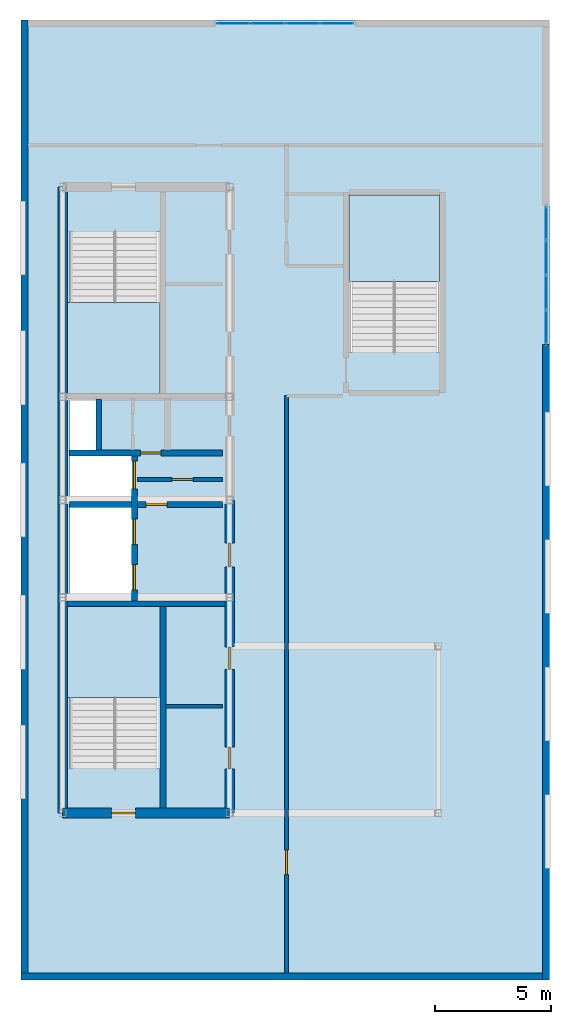
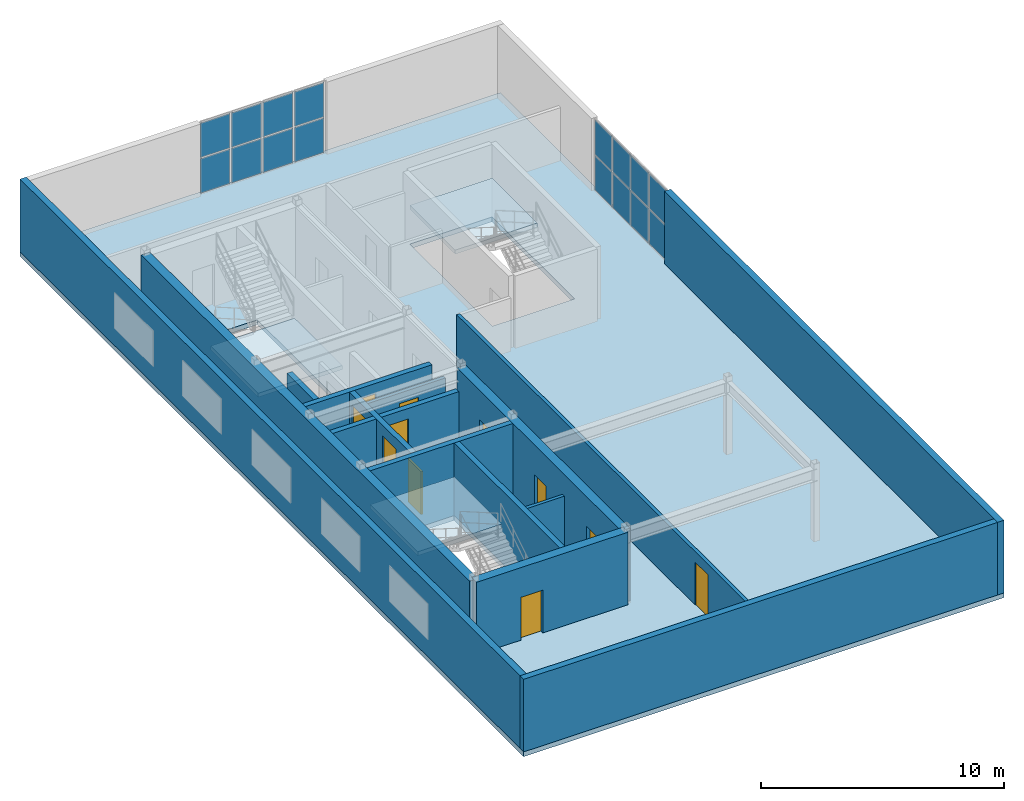
# One storey, part 5 of 7: 16 plates, 15 walls, 11 doors, 4 slabs, 11 openings, 5 elements without a shape of their own.
"""IFC4 building model written with IfcOpenShell, lengths in metres."""

from ifc_helpers import new_model, entity, si_unit, converted_unit, direction, frame, origin_with_axes, origin_2d_with_axis, place, context, subcontext, project, spatial, polyline, rectangle, outline, extrude, material, layer, layer_set, type_object, element, fill, aggregate, save


model = new_model("IFC4")

# Units and contexts
model_context = context("Model", 3, precision=1e-05, world=origin_with_axes(), true_north=direction((0.0, 1.0)))
body_context = subcontext(model_context, "Body", "Model", "MODEL_VIEW")
ifc_project = project(units=[si_unit("LENGTHUNIT", "METRE"), si_unit("AREAUNIT", "SQUARE_METRE"), si_unit("VOLUMEUNIT", "CUBIC_METRE"), converted_unit("PLANEANGLEUNIT", "DEGREE", entity("IfcPlaneAngleMeasure", 0.017453292519943295), si_unit("PLANEANGLEUNIT", "RADIAN"), dimensions=[0, 0, 0, 0, 0, 0, 0]), si_unit("MASSUNIT", "GRAM", prefix="KILO"), si_unit("THERMODYNAMICTEMPERATUREUNIT", "KELVIN")], contexts=[model_context])

# Site, building, storey
site_placement = place(None, origin_with_axes())
site = spatial("IfcSite", under=ifc_project, at=site_placement, CompositionType="ELEMENT")
building_placement = place(site_placement, origin_with_axes())
building = spatial("IfcBuilding", under=site, at=building_placement, Name="Varnlund Millrace Tower", CompositionType="ELEMENT")
storey_placement = place(building_placement, frame((0.0, 0.0, 312.6), z_axis=(0.0, 0.0, 1.0), x_axis=(1.0, 0.0, 0.0)))
storey = spatial("IfcBuildingStorey", under=building, at=storey_placement, Name="L77", CompositionType="ELEMENT", Elevation=312.6)

# Curtain wall, plates
ifc_material_1 = material(Name="Thermally broken architectural bronze curtain wall", Category="aluminium")
curtain_wall_type = type_object("IfcCurtainWallType", Name="Type-CW-Sys6-Observatory", PredefinedType="NOTDEFINED", material=ifc_material_1)
curtain_wall_1_placement = place(storey_placement, frame((32.25, 37.0, 0.0), z_axis=(0.0, 0.0, 1.0), x_axis=(1.0, 0.0, 0.0)))
curtain_wall_1 = element("IfcCurtainWall", 1, at=curtain_wall_1_placement, inside=storey, type_object=curtain_wall_type, Name="Type-CW-Sys6-Observatory", PredefinedType="NOTDEFINED")
ifc_material_2 = material(Name="Fritted low-e triple-glazed lantern curtain-wall unit", Category="glass")
ifc_layer_1 = layer(ifc_material_2, 0.032, Name="Fritted low-e triple-glazed lantern curtain-wall unit")
ifc_layer_set_1 = layer_set([ifc_layer_1], Name="Fritted low-e triple-glazed lantern curtain-wall unit")
plate_type = type_object("IfcPlateType", Name="Type-CW-Panel-Clerestory-32", PredefinedType="CURTAIN_PANEL", material=ifc_layer_set_1)
plate_1_placement = place(storey_placement, frame((32.25, 36.23375, 0.065), z_axis=(0.0, 0.0, 1.0), x_axis=(0.0, -1.0, 0.0)))
plate_1 = element("IfcPlate", 2, at=plate_1_placement, type_object=plate_type, Name="CW-06 panel 1.1", PredefinedType="CURTAIN_PANEL", context=body_context, shape_type="SweptSolid", body=[
    extrude(rectangle(XDim=1.4025, YDim=0.032, at=origin_2d_with_axis()), origin_with_axes(), (0.0, 0.0, 1.0), 1.7225),
])
plate_2_placement = place(storey_placement, frame((32.25, 36.23375, 1.8525), z_axis=(0.0, 0.0, 1.0), x_axis=(0.0, -1.0, 0.0)))
plate_2 = element("IfcPlate", 3, at=plate_2_placement, type_object=plate_type, Name="CW-06 panel 1.2", PredefinedType="CURTAIN_PANEL", context=body_context, shape_type="SweptSolid", body=[
    extrude(rectangle(XDim=1.4025, YDim=0.032, at=origin_2d_with_axis()), origin_with_axes(), (0.0, 0.0, 1.0), 1.7225),
])
plate_3_placement = place(storey_placement, frame((32.25, 34.75, 0.065), z_axis=(0.0, 0.0, 1.0), x_axis=(0.0, -1.0, 0.0)))
plate_3 = element("IfcPlate", 4, at=plate_3_placement, type_object=plate_type, Name="CW-06 panel 2.1", PredefinedType="CURTAIN_PANEL", context=body_context, shape_type="SweptSolid", body=[
    extrude(rectangle(XDim=1.435, YDim=0.032, at=origin_2d_with_axis()), origin_with_axes(), (0.0, 0.0, 1.0), 1.7225),
])
plate_4_placement = place(storey_placement, frame((32.25, 34.75, 1.8525), z_axis=(0.0, 0.0, 1.0), x_axis=(0.0, -1.0, 0.0)))
plate_4 = element("IfcPlate", 5, at=plate_4_placement, type_object=plate_type, Name="CW-06 panel 2.2", PredefinedType="CURTAIN_PANEL", context=body_context, shape_type="SweptSolid", body=[
    extrude(rectangle(XDim=1.435, YDim=0.032, at=origin_2d_with_axis()), origin_with_axes(), (0.0, 0.0, 1.0), 1.7225),
])
plate_5_placement = place(storey_placement, frame((32.25, 33.25, 0.065), z_axis=(0.0, 0.0, 1.0), x_axis=(0.0, -1.0, 0.0)))
plate_5 = element("IfcPlate", 6, at=plate_5_placement, type_object=plate_type, Name="CW-06 panel 3.1", PredefinedType="CURTAIN_PANEL", context=body_context, shape_type="SweptSolid", body=[
    extrude(rectangle(XDim=1.435, YDim=0.032, at=origin_2d_with_axis()), origin_with_axes(), (0.0, 0.0, 1.0), 1.7225),
])
plate_6_placement = place(storey_placement, frame((32.25, 33.25, 1.8525), z_axis=(0.0, 0.0, 1.0), x_axis=(0.0, -1.0, 0.0)))
plate_6 = element("IfcPlate", 7, at=plate_6_placement, type_object=plate_type, Name="CW-06 panel 3.2", PredefinedType="CURTAIN_PANEL", context=body_context, shape_type="SweptSolid", body=[
    extrude(rectangle(XDim=1.435, YDim=0.032, at=origin_2d_with_axis()), origin_with_axes(), (0.0, 0.0, 1.0), 1.7225),
])
plate_7_placement = place(storey_placement, frame((32.25, 31.76625, 0.065), z_axis=(0.0, 0.0, 1.0), x_axis=(0.0, -1.0, 0.0)))
plate_7 = element("IfcPlate", 8, at=plate_7_placement, type_object=plate_type, Name="CW-06 panel 4.1", PredefinedType="CURTAIN_PANEL", context=body_context, shape_type="SweptSolid", body=[
    extrude(rectangle(XDim=1.4025, YDim=0.032, at=origin_2d_with_axis()), origin_with_axes(), (0.0, 0.0, 1.0), 1.7225),
])
plate_8_placement = place(storey_placement, frame((32.25, 31.76625, 1.8525), z_axis=(0.0, 0.0, 1.0), x_axis=(0.0, -1.0, 0.0)))
plate_8 = element("IfcPlate", 9, at=plate_8_placement, type_object=plate_type, Name="CW-06 panel 4.2", PredefinedType="CURTAIN_PANEL", context=body_context, shape_type="SweptSolid", body=[
    extrude(rectangle(XDim=1.4025, YDim=0.032, at=origin_2d_with_axis()), origin_with_axes(), (0.0, 0.0, 1.0), 1.7225),
])
aggregate(curtain_wall_1, [plate_1, plate_2, plate_3, plate_4, plate_5, plate_6, plate_7, plate_8])

curtain_wall_2_placement = place(storey_placement, frame((18.0, 44.85, 0.0), z_axis=(0.0, 0.0, 1.0), x_axis=(1.0, 0.0, 0.0)))
curtain_wall_2 = element("IfcCurtainWall", 10, at=curtain_wall_2_placement, inside=storey, type_object=curtain_wall_type, Name="Type-CW-Sys6-Observatory", PredefinedType="NOTDEFINED")
plate_9_placement = place(storey_placement, frame((18.76625, 44.85, 0.065), z_axis=(0.0, 0.0, 1.0), x_axis=(1.0, 0.0, 0.0)))
plate_9 = element("IfcPlate", 11, at=plate_9_placement, type_object=plate_type, Name="CW-06 panel 1.1", PredefinedType="CURTAIN_PANEL", context=body_context, shape_type="SweptSolid", body=[
    extrude(rectangle(XDim=1.4025, YDim=0.032, at=origin_2d_with_axis()), origin_with_axes(), (0.0, 0.0, 1.0), 1.7225),
])
plate_10_placement = place(storey_placement, frame((18.76625, 44.85, 1.8525), z_axis=(0.0, 0.0, 1.0), x_axis=(1.0, 0.0, 0.0)))
plate_10 = element("IfcPlate", 12, at=plate_10_placement, type_object=plate_type, Name="CW-06 panel 1.2", PredefinedType="CURTAIN_PANEL", context=body_context, shape_type="SweptSolid", body=[
    extrude(rectangle(XDim=1.4025, YDim=0.032, at=origin_2d_with_axis()), origin_with_axes(), (0.0, 0.0, 1.0), 1.7225),
])
plate_11_placement = place(storey_placement, frame((20.25, 44.85, 0.065), z_axis=(0.0, 0.0, 1.0), x_axis=(1.0, 0.0, 0.0)))
plate_11 = element("IfcPlate", 13, at=plate_11_placement, type_object=plate_type, Name="CW-06 panel 2.1", PredefinedType="CURTAIN_PANEL", context=body_context, shape_type="SweptSolid", body=[
    extrude(rectangle(XDim=1.435, YDim=0.032, at=origin_2d_with_axis()), origin_with_axes(), (0.0, 0.0, 1.0), 1.7225),
])
plate_12_placement = place(storey_placement, frame((20.25, 44.85, 1.8525), z_axis=(0.0, 0.0, 1.0), x_axis=(1.0, 0.0, 0.0)))
plate_12 = element("IfcPlate", 14, at=plate_12_placement, type_object=plate_type, Name="CW-06 panel 2.2", PredefinedType="CURTAIN_PANEL", context=body_context, shape_type="SweptSolid", body=[
    extrude(rectangle(XDim=1.435, YDim=0.032, at=origin_2d_with_axis()), origin_with_axes(), (0.0, 0.0, 1.0), 1.7225),
])
plate_13_placement = place(storey_placement, frame((21.75, 44.85, 0.065), z_axis=(0.0, 0.0, 1.0), x_axis=(1.0, 0.0, 0.0)))
plate_13 = element("IfcPlate", 15, at=plate_13_placement, type_object=plate_type, Name="CW-06 panel 3.1", PredefinedType="CURTAIN_PANEL", context=body_context, shape_type="SweptSolid", body=[
    extrude(rectangle(XDim=1.435, YDim=0.032, at=origin_2d_with_axis()), origin_with_axes(), (0.0, 0.0, 1.0), 1.7225),
])
plate_14_placement = place(storey_placement, frame((21.75, 44.85, 1.8525), z_axis=(0.0, 0.0, 1.0), x_axis=(1.0, 0.0, 0.0)))
plate_14 = element("IfcPlate", 16, at=plate_14_placement, type_object=plate_type, Name="CW-06 panel 3.2", PredefinedType="CURTAIN_PANEL", context=body_context, shape_type="SweptSolid", body=[
    extrude(rectangle(XDim=1.435, YDim=0.032, at=origin_2d_with_axis()), origin_with_axes(), (0.0, 0.0, 1.0), 1.7225),
])
plate_15_placement = place(storey_placement, frame((23.23375, 44.85, 0.065), z_axis=(0.0, 0.0, 1.0), x_axis=(1.0, 0.0, 0.0)))
plate_15 = element("IfcPlate", 17, at=plate_15_placement, type_object=plate_type, Name="CW-06 panel 4.1", PredefinedType="CURTAIN_PANEL", context=body_context, shape_type="SweptSolid", body=[
    extrude(rectangle(XDim=1.4025, YDim=0.032, at=origin_2d_with_axis()), origin_with_axes(), (0.0, 0.0, 1.0), 1.7225),
])
plate_16_placement = place(storey_placement, frame((23.23375, 44.85, 1.8525), z_axis=(0.0, 0.0, 1.0), x_axis=(1.0, 0.0, 0.0)))
plate_16 = element("IfcPlate", 18, at=plate_16_placement, type_object=plate_type, Name="CW-06 panel 4.2", PredefinedType="CURTAIN_PANEL", context=body_context, shape_type="SweptSolid", body=[
    extrude(rectangle(XDim=1.4025, YDim=0.032, at=origin_2d_with_axis()), origin_with_axes(), (0.0, 0.0, 1.0), 1.7225),
])
aggregate(curtain_wall_2, [plate_9, plate_10, plate_11, plate_12, plate_13, plate_14, plate_15, plate_16])

# Slab
ifc_material_3 = material(Name="Concrete C60/75", Category="concrete")
ifc_layer_2 = layer(ifc_material_3, 0.24, Name="Concrete C60/75")
ifc_layer_set_2 = layer_set([ifc_layer_2], Name="Concrete C60/75")
slab_type_1 = type_object("IfcSlabType", Name="Type-Deck-Plate-Typical-240", PredefinedType="FLOOR", material=ifc_layer_set_2)
slab_1_placement = place(storey_placement, frame((0.0, 0.0, -0.24), z_axis=(0.0, 0.0, 1.0), x_axis=(1.0, 0.0, 0.0)))
element("IfcSlab", 19, at=slab_1_placement, inside=storey, type_object=slab_type_1, Name="Type-Deck-Plate-Typical-240", PredefinedType="FLOOR", context=body_context, shape_type="SweptSolid", body=[
    extrude(outline(polyline([(32.4, 3.6), (32.4, 45.0), (9.6, 45.0), (9.6, 3.6), (32.4, 3.6)]), holes=[polyline([(11.7, 19.7), (15.6, 19.7), (15.6, 12.715), (11.7, 12.715), (11.7, 19.7)]), polyline([(11.7, 19.94), (11.7, 23.98), (14.38, 23.98), (14.38, 19.94), (11.7, 19.94)]), polyline([(14.38, 26.2), (14.38, 24.24), (11.7, 24.24), (11.7, 26.2), (14.38, 26.2)]), polyline([(12.84, 28.65), (12.84, 26.46), (11.7, 26.46), (11.7, 28.65), (12.84, 28.65)]), polyline([(15.6, 35.885), (15.6, 28.9), (11.7, 28.9), (11.7, 35.885), (15.6, 35.885)]), polyline([(27.65, 37.45), (27.65, 30.665), (23.75, 30.665), (23.75, 37.45), (27.65, 37.45)])]), origin_with_axes(), (0.0, 0.0, 1.0), 0.24),
])

# Stair, slab
ifc_material_4 = material(Name="Concrete C50/60", Category="concrete")
stair_type = type_object("IfcStairType", Name="Type-Stair-Dogleg-185-390", PredefinedType="HALF_TURN_STAIR", material=ifc_material_4)
stair_1_placement = place(storey_placement, origin_with_axes())
stair_1 = element("IfcStair", 20, at=stair_1_placement, inside=storey, type_object=stair_type, Name="Type-Stair-Dogleg-185-390", PredefinedType="HALF_TURN_STAIR")
ifc_layer_3 = layer(ifc_material_4, 0.2, Name="Concrete C50/60")
ifc_layer_set_3 = layer_set([ifc_layer_3], Name="Concrete C50/60")
slab_type_2 = type_object("IfcSlabType", Name="Type-StairLanding-200", PredefinedType="LANDING", material=ifc_layer_set_3)
slab_2_placement = place(storey_placement, frame((0.0, 0.0, 1.75), z_axis=(0.0, 0.0, 1.0), x_axis=(1.0, 0.0, 0.0)))
slab_2 = element("IfcSlab", 21, at=slab_2_placement, type_object=slab_type_2, Name="ST-A1 landing 1", PredefinedType="LANDING", context=body_context, shape_type="SweptSolid", body=[
    extrude(outline(polyline([(15.6, 15.78), (15.6, 19.7), (11.61, 19.7), (11.61, 15.78), (15.6, 15.78)])), origin_with_axes(), (0.0, 0.0, 1.0), 0.2),
])
aggregate(stair_1, [slab_2])

stair_2_placement = place(storey_placement, origin_with_axes())
stair_2 = element("IfcStair", 22, at=stair_2_placement, inside=storey, type_object=stair_type, Name="Type-Stair-Dogleg-185-390", PredefinedType="HALF_TURN_STAIR")
slab_3_placement = place(storey_placement, frame((0.0, 0.0, 1.75), z_axis=(0.0, 0.0, 1.0), x_axis=(1.0, 0.0, 0.0)))
slab_3 = element("IfcSlab", 23, at=slab_3_placement, type_object=slab_type_2, Name="ST-A2 landing 1", PredefinedType="LANDING", context=body_context, shape_type="SweptSolid", body=[
    extrude(outline(polyline([(11.61, 32.82), (11.61, 28.9), (15.6, 28.9), (15.6, 32.82), (11.61, 32.82)])), origin_with_axes(), (0.0, 0.0, 1.0), 0.2),
])
aggregate(stair_2, [slab_3])

stair_3_placement = place(storey_placement, origin_with_axes())
stair_3 = element("IfcStair", 24, at=stair_3_placement, inside=storey, type_object=stair_type, Name="Type-Stair-Dogleg-185-390", PredefinedType="HALF_TURN_STAIR")
slab_4_placement = place(storey_placement, frame((0.0, 0.0, 1.75), z_axis=(0.0, 0.0, 1.0), x_axis=(1.0, 0.0, 0.0)))
slab_4 = element("IfcSlab", 25, at=slab_4_placement, type_object=slab_type_2, Name="ST-A3 landing 1", PredefinedType="LANDING", context=body_context, shape_type="SweptSolid", body=[
    extrude(outline(polyline([(27.65, 33.73), (27.65, 37.45), (23.75, 37.45), (23.75, 33.73), (27.65, 33.73)])), origin_with_axes(), (0.0, 0.0, 1.0), 0.2),
])
aggregate(stair_3, [slab_4])

# Wall
ifc_layer_4 = layer(ifc_material_3, 0.42, Name="Concrete C60/75")
ifc_layer_set_4 = layer_set([ifc_layer_4], Name="Concrete C60/75")
wall_type_1 = type_object("IfcWallType", Name="Type-CoreWall-Shear-420-C60", PredefinedType="SHEAR", material=ifc_layer_set_4)
wall_1_placement = place(storey_placement, frame((11.4, 10.8, 0.0), z_axis=(0.0, 0.0, 1.0), x_axis=(0.0, 1.0, 0.0)))
element("IfcWall", 26, at=wall_1_placement, inside=storey, type_object=wall_type_1, Name="Type-CoreWall-Shear-420-C60", PredefinedType="SHEAR", context=body_context, shape_type="SweptSolid", body=[
    extrude(outline(polyline([(0.0, -0.21), (27.0, -0.21), (27.0, 0.21), (0.0, 0.21), (0.0, -0.21)])), origin_with_axes(), (0.0, 0.0, 1.0), 3.64),
])

# Wall, opening, door
wall_2_placement = place(storey_placement, frame((11.4, 10.8, 0.0), z_axis=(0.0, 0.0, 1.0), x_axis=(1.0, 0.0, 0.0)))
wall_2 = element("IfcWall", 27, at=wall_2_placement, inside=storey, type_object=wall_type_1, Name="Type-CoreWall-Shear-420-C60", PredefinedType="SHEAR", context=body_context, shape_type="SweptSolid", body=[
    extrude(outline(polyline([(0.0, -0.21), (7.2, -0.21), (7.2, 0.21), (0.0, 0.21), (0.0, -0.21)])), origin_with_axes(), (0.0, 0.0, 1.0), 3.64),
])
opening_1_placement = place(wall_2_placement, frame((2.625, 0.0, 0.0), z_axis=(0.0, 0.0, 1.0), x_axis=(1.0, 0.0, 0.0)))
opening_1 = element("IfcOpeningElement", 28, at=opening_1_placement, cuts=wall_2, Name="Opening L77:DR-STA1", PredefinedType="OPENING", context=body_context, shape_type="SweptSolid", body=[
    extrude(rectangle(XDim=1.05, YDim=0.44, at=origin_2d_with_axis()), origin_with_axes(), (0.0, 0.0, 1.0), 2.15),
])
ifc_material_5 = material(Name="Fire-rated hollow steel door", Category="steel")
door_type_1 = type_object("IfcDoorType", Name="Type-FireDoor-Stair-1050X2150", OperationType="NOTDEFINED", PredefinedType="DOOR", material=ifc_material_5)
door_1_placement = place(wall_2_placement, frame((2.625, 0.0, 0.0), z_axis=(0.0, 0.0, 1.0), x_axis=(1.0, 0.0, 0.0)))
door_1 = element("IfcDoor", 29, at=door_1_placement, inside=storey, type_object=door_type_1, Name="Type-FireDoor-Stair-1050X2150", OperationType="SINGLE_SWING_LEFT", OverallHeight=2.15, OverallWidth=1.05, PredefinedType="DOOR", context=body_context, shape_type="SweptSolid", body=[
    extrude(rectangle(XDim=1.05, YDim=0.09, at=origin_2d_with_axis()), origin_with_axes(), (0.0, 0.0, 1.0), 2.15),
])
fill(opening_1, door_1)

# Wall, openings, doors
wall_3_placement = place(storey_placement, frame((18.6, 10.8, 0.0), z_axis=(0.0, 0.0, 1.0), x_axis=(0.0, 1.0, 0.0)))
wall_3 = element("IfcWall", 30, at=wall_3_placement, inside=storey, type_object=wall_type_1, Name="Type-CoreWall-Shear-420-C60", PredefinedType="SHEAR", context=body_context, shape_type="SweptSolid", body=[
    extrude(outline(polyline([(0.0, -0.21), (13.5, -0.21), (13.5, 0.21), (0.0, 0.21), (0.0, -0.21)])), origin_with_axes(), (0.0, 0.0, 1.0), 3.64),
])
opening_2_placement = place(wall_3_placement, frame((11.125, 0.0, 0.0), z_axis=(0.0, 0.0, 1.0), x_axis=(1.0, 0.0, 0.0)))
opening_2 = element("IfcOpeningElement", 31, at=opening_2_placement, cuts=wall_3, Name="Opening L77:DR-FFLOB-A", PredefinedType="OPENING", context=body_context, shape_type="SweptSolid", body=[
    extrude(rectangle(XDim=1.05, YDim=0.44, at=origin_2d_with_axis()), origin_with_axes(), (0.0, 0.0, 1.0), 2.15),
])
opening_3_placement = place(wall_3_placement, frame((2.375, 0.0, 0.0), z_axis=(0.0, 0.0, 1.0), x_axis=(1.0, 0.0, 0.0)))
opening_3 = element("IfcOpeningElement", 32, at=opening_3_placement, cuts=wall_3, Name="Opening L77:DR-CRN-C1", PredefinedType="OPENING", context=body_context, shape_type="SweptSolid", body=[
    extrude(rectangle(XDim=0.95, YDim=0.44, at=origin_2d_with_axis()), origin_with_axes(), (0.0, 0.0, 1.0), 2.15),
])
opening_4_placement = place(wall_3_placement, frame((6.675, 0.0, 0.0), z_axis=(0.0, 0.0, 1.0), x_axis=(1.0, 0.0, 0.0)))
opening_4 = element("IfcOpeningElement", 33, at=opening_4_placement, cuts=wall_3, Name="Opening L77:DR-CRN-C2", PredefinedType="OPENING", context=body_context, shape_type="SweptSolid", body=[
    extrude(rectangle(XDim=0.95, YDim=0.44, at=origin_2d_with_axis()), origin_with_axes(), (0.0, 0.0, 1.0), 2.15),
])
ifc_material_6 = material(Name="Smoke-barrier hollow steel fire door", Category="steel")
door_type_2 = type_object("IfcDoorType", Name="Type-FireDoor-Lobby-1050X2150", OperationType="NOTDEFINED", PredefinedType="DOOR", material=ifc_material_6)
door_2_placement = place(wall_3_placement, frame((11.125, 0.0, 0.0), z_axis=(0.0, 0.0, 1.0), x_axis=(1.0, 0.0, 0.0)))
door_2 = element("IfcDoor", 34, at=door_2_placement, inside=storey, type_object=door_type_2, Name="Type-FireDoor-Lobby-1050X2150", OperationType="SINGLE_SWING_LEFT", OverallHeight=2.15, OverallWidth=1.05, PredefinedType="DOOR", context=body_context, shape_type="SweptSolid", body=[
    extrude(rectangle(XDim=1.05, YDim=0.09, at=origin_2d_with_axis()), origin_with_axes(), (0.0, 0.0, 1.0), 2.15),
])
fill(opening_2, door_2)
ifc_material_7 = material(Name="Fire-rated hollow steel core service door", Category="steel")
door_type_3 = type_object("IfcDoorType", Name="Type-FireDoor-Service-950X2150", OperationType="NOTDEFINED", PredefinedType="DOOR", material=ifc_material_7)
door_3_placement = place(wall_3_placement, frame((2.375, 0.0, 0.0), z_axis=(0.0, 0.0, 1.0), x_axis=(1.0, 0.0, 0.0)))
door_3 = element("IfcDoor", 35, at=door_3_placement, inside=storey, type_object=door_type_3, Name="Type-FireDoor-Service-950X2150", OperationType="SINGLE_SWING_LEFT", OverallHeight=2.15, OverallWidth=0.95, PredefinedType="DOOR", context=body_context, shape_type="SweptSolid", body=[
    extrude(rectangle(XDim=0.95, YDim=0.09, at=origin_2d_with_axis()), origin_with_axes(), (0.0, 0.0, 1.0), 2.15),
])
fill(opening_3, door_3)
door_4_placement = place(wall_3_placement, frame((6.675, 0.0, 0.0), z_axis=(0.0, 0.0, 1.0), x_axis=(1.0, 0.0, 0.0)))
door_4 = element("IfcDoor", 36, at=door_4_placement, inside=storey, type_object=door_type_3, Name="Type-FireDoor-Service-950X2150", OperationType="SINGLE_SWING_RIGHT", OverallHeight=2.15, OverallWidth=0.95, PredefinedType="DOOR", context=body_context, shape_type="SweptSolid", body=[
    extrude(rectangle(XDim=0.95, YDim=0.09, at=origin_2d_with_axis()), origin_with_axes(), (0.0, 0.0, 1.0), 2.15),
])
fill(opening_4, door_4)

# Walls
ifc_material_8 = material(Name="Precast concrete C50/60", Category="concrete")
ifc_layer_5 = layer(ifc_material_8, 0.3, Name="Precast concrete C50/60")
ifc_layer_set_5 = layer_set([ifc_layer_5], Name="Precast concrete C50/60")
wall_type_2 = type_object("IfcWallType", Name="Type-ExtWall-Precast-Crown-300", PredefinedType="SOLIDWALL", material=ifc_layer_set_5)
wall_4_placement = place(storey_placement, frame((9.75, 3.9, 0.0), z_axis=(0.0, 0.0, 1.0), x_axis=(0.0, 1.0, 0.0)))
element("IfcWall", 37, at=wall_4_placement, inside=storey, type_object=wall_type_2, Name="Type-ExtWall-Precast-Crown-300", PredefinedType="SOLIDWALL", context=body_context, shape_type="SweptSolid", body=[
    extrude(outline(polyline([(0.0, -0.15), (41.1, -0.15), (41.1, 0.15), (0.0, 0.15), (0.0, -0.15)])), origin_with_axes(), (0.0, 0.0, 1.0), 3.64),
])
wall_5_placement = place(storey_placement, frame((32.25, 31.0, 0.0), z_axis=(0.0, 0.0, 1.0), x_axis=(0.0, -1.0, 0.0)))
element("IfcWall", 38, at=wall_5_placement, inside=storey, type_object=wall_type_2, Name="Type-ExtWall-Precast-Crown-300", PredefinedType="SOLIDWALL", context=body_context, shape_type="SweptSolid", body=[
    extrude(outline(polyline([(0.0, -0.15), (27.4, -0.15), (27.4, 0.15), (0.0, 0.15), (0.0, -0.15)])), origin_with_axes(), (0.0, 0.0, 1.0), 3.64),
])
wall_6_placement = place(storey_placement, frame((32.1, 3.75, 0.0), z_axis=(0.0, 0.0, 1.0), x_axis=(-1.0, 0.0, 0.0)))
element("IfcWall", 39, at=wall_6_placement, inside=storey, type_object=wall_type_2, Name="Type-ExtWall-Precast-Crown-300", PredefinedType="SOLIDWALL", context=body_context, shape_type="SweptSolid", body=[
    extrude(outline(polyline([(0.0, -0.15), (22.5, -0.15), (22.5, 0.15), (0.0, 0.15), (0.0, -0.15)])), origin_with_axes(), (0.0, 0.0, 1.0), 3.64),
])

# Wall, opening, door
ifc_material_9 = material(Name="Fire-rated gypsum board on cold-formed steel framing", Category="steel")
ifc_layer_6 = layer(ifc_material_9, 0.16, Name="Fire-rated gypsum board on cold-formed steel framing")
ifc_layer_set_6 = layer_set([ifc_layer_6], Name="Fire-rated gypsum board on cold-formed steel framing")
wall_type_3 = type_object("IfcWallType", Name="Type-Partition-Corridor-160", PredefinedType="PARTITIONING", material=ifc_layer_set_6)
wall_7_placement = place(storey_placement, frame((14.62, 25.18, 0.0), z_axis=(0.0, 0.0, 1.0), x_axis=(1.0, 0.0, 0.0)))
wall_7 = element("IfcWall", 40, at=wall_7_placement, inside=storey, type_object=wall_type_3, Name="Type-Partition-Corridor-160", PredefinedType="PARTITIONING", context=body_context, shape_type="SweptSolid", body=[
    extrude(outline(polyline([(0.0, -0.08), (3.68, -0.08), (3.68, 0.08), (0.0, 0.08), (0.0, -0.08)])), origin_with_axes(), (0.0, 0.0, 1.0), 2.68),
])
opening_5_placement = place(wall_7_placement, frame((1.95, 0.0, 0.0), z_axis=(0.0, 0.0, 1.0), x_axis=(1.0, 0.0, 0.0)))
opening_5 = element("IfcOpeningElement", 41, at=opening_5_placement, cuts=wall_7, Name="Opening L77:DR-CA-SUB2", PredefinedType="OPENING", context=body_context, shape_type="SweptSolid", body=[
    extrude(rectangle(XDim=0.9, YDim=0.18, at=origin_2d_with_axis()), origin_with_axes(), (0.0, 0.0, 1.0), 2.15),
])
ifc_material_10 = material(Name="Painted steel riser and closet door", Category="steel")
door_type_4 = type_object("IfcDoorType", Name="Type-IntDoor-Closet-900X2150", OperationType="NOTDEFINED", PredefinedType="DOOR", material=ifc_material_10)
door_5_placement = place(wall_7_placement, frame((1.95, 0.0, 0.0), z_axis=(0.0, 0.0, 1.0), x_axis=(1.0, 0.0, 0.0)))
door_5 = element("IfcDoor", 42, at=door_5_placement, inside=storey, type_object=door_type_4, Name="Type-IntDoor-Closet-900X2150", OperationType="SINGLE_SWING_LEFT", OverallHeight=2.15, OverallWidth=0.9, PredefinedType="DOOR", context=body_context, shape_type="SweptSolid", body=[
    extrude(rectangle(XDim=0.9, YDim=0.09, at=origin_2d_with_axis()), origin_with_axes(), (0.0, 0.0, 1.0), 2.15),
])
fill(opening_5, door_5)

# Wall
wall_8_placement = place(storey_placement, frame((15.84, 15.4, 0.0), z_axis=(0.0, 0.0, 1.0), x_axis=(1.0, 0.0, 0.0)))
element("IfcWall", 43, at=wall_8_placement, inside=storey, type_object=wall_type_3, Name="Type-Partition-Corridor-160", PredefinedType="PARTITIONING", context=body_context, shape_type="SweptSolid", body=[
    extrude(outline(polyline([(0.0, -0.08), (2.46, -0.08), (2.46, 0.08), (0.0, 0.08), (0.0, -0.08)])), origin_with_axes(), (0.0, 0.0, 1.0), 2.68),
])

# Wall, opening, door
wall_9_placement = place(storey_placement, frame((21.05, 3.895, 0.0), z_axis=(0.0, 0.0, 1.0), x_axis=(0.0, 1.0, 0.0)))
wall_9 = element("IfcWall", 44, at=wall_9_placement, inside=storey, type_object=wall_type_3, Name="Type-Partition-Corridor-160", PredefinedType="PARTITIONING", context=body_context, shape_type="SweptSolid", body=[
    extrude(outline(polyline([(0.0, -0.08), (24.905, -0.08), (24.905, 0.08), (0.0, 0.08), (0.0, -0.08)])), origin_with_axes(), (0.0, 0.0, 1.0), 2.68),
])
opening_6_placement = place(wall_9_placement, frame((4.78, 0.0, 0.0), z_axis=(0.0, 0.0, 1.0), x_axis=(1.0, 0.0, 0.0)))
opening_6 = element("IfcOpeningElement", 45, at=opening_6_placement, cuts=wall_9, Name="Opening L77:DR-CRN-PLT", PredefinedType="OPENING", context=body_context, shape_type="SweptSolid", body=[
    extrude(rectangle(XDim=1.05, YDim=0.18, at=origin_2d_with_axis()), origin_with_axes(), (0.0, 0.0, 1.0), 2.15),
])
door_6_placement = place(wall_9_placement, frame((4.78, 0.0, 0.0), z_axis=(0.0, 0.0, 1.0), x_axis=(1.0, 0.0, 0.0)))
door_6 = element("IfcDoor", 46, at=door_6_placement, inside=storey, type_object=door_type_2, Name="Type-FireDoor-Lobby-1050X2150", OperationType="SINGLE_SWING_LEFT", OverallHeight=2.15, OverallWidth=1.05, PredefinedType="DOOR", context=body_context, shape_type="SweptSolid", body=[
    extrude(rectangle(XDim=1.05, YDim=0.09, at=origin_2d_with_axis()), origin_with_axes(), (0.0, 0.0, 1.0), 2.15),
])
fill(opening_6, door_6)

# Wall, openings, doors
ifc_layer_7 = layer(ifc_material_3, 0.25, Name="Concrete C60/75")
ifc_layer_set_7 = layer_set([ifc_layer_7], Name="Concrete C60/75")
wall_type_4 = type_object("IfcWallType", Name="Type-ShaftWall-Fire-250", PredefinedType="SOLIDWALL", material=ifc_layer_set_7)
wall_10_placement = place(storey_placement, frame((14.5, 19.95, 0.0), z_axis=(0.0, 0.0, 1.0), x_axis=(0.0, 1.0, 0.0)))
wall_10 = element("IfcWall", 47, at=wall_10_placement, inside=storey, type_object=wall_type_4, Name="Type-ShaftWall-Fire-250", PredefinedType="SOLIDWALL", context=body_context, shape_type="SweptSolid", body=[
    extrude(outline(polyline([(0.0, -0.125), (6.25, -0.125), (6.25, 0.125), (0.0, 0.125), (0.0, -0.125)])), origin_with_axes(), (0.0, 0.0, 1.0), 2.68),
])
opening_7_placement = place(wall_10_placement, frame((1.025, 0.0, 0.0), z_axis=(0.0, 0.0, 1.0), x_axis=(1.0, 0.0, 0.0)))
opening_7 = element("IfcOpeningElement", 48, at=opening_7_placement, cuts=wall_10, Name="Opening L77:LD-FSAE1", PredefinedType="OPENING", context=body_context, shape_type="SweptSolid", body=[
    extrude(rectangle(XDim=1.1, YDim=0.27, at=origin_2d_with_axis()), origin_with_axes(), (0.0, 0.0, 1.0), 2.15),
])
opening_8_placement = place(wall_10_placement, frame((2.975, 0.0, 0.0), z_axis=(0.0, 0.0, 1.0), x_axis=(1.0, 0.0, 0.0)))
opening_8 = element("IfcOpeningElement", 49, at=opening_8_placement, cuts=wall_10, Name="Opening L77:LD-FSAE2", PredefinedType="OPENING", context=body_context, shape_type="SweptSolid", body=[
    extrude(rectangle(XDim=1.1, YDim=0.27, at=origin_2d_with_axis()), origin_with_axes(), (0.0, 0.0, 1.0), 2.15),
])
opening_9_placement = place(wall_10_placement, frame((5.425, 0.0, 0.0), z_axis=(0.0, 0.0, 1.0), x_axis=(1.0, 0.0, 0.0)))
opening_9 = element("IfcOpeningElement", 50, at=opening_9_placement, cuts=wall_10, Name="Opening L77:LD-SRV1", PredefinedType="OPENING", context=body_context, shape_type="SweptSolid", body=[
    extrude(rectangle(XDim=1.2, YDim=0.27, at=origin_2d_with_axis()), origin_with_axes(), (0.0, 0.0, 1.0), 2.15),
])
ifc_material_11 = material(Name="Stainless and architectural bronze sliding landing door")
door_type_5 = type_object("IfcDoorType", Name="Type-LiftLandingDoor-1100X2150", OperationType="NOTDEFINED", PredefinedType="DOOR", material=ifc_material_11)
door_7_placement = place(wall_10_placement, frame((1.025, 0.0, 0.0), z_axis=(0.0, 0.0, 1.0), x_axis=(1.0, 0.0, 0.0)))
door_7 = element("IfcDoor", 51, at=door_7_placement, inside=storey, type_object=door_type_5, Name="Type-LiftLandingDoor-1100X2150", OperationType="SLIDING_TO_LEFT", OverallHeight=2.15, OverallWidth=1.1, PredefinedType="DOOR", context=body_context, shape_type="SweptSolid", body=[
    extrude(rectangle(XDim=1.1, YDim=0.09, at=origin_2d_with_axis()), origin_with_axes(), (0.0, 0.0, 1.0), 2.15),
])
fill(opening_7, door_7)
door_8_placement = place(wall_10_placement, frame((2.975, 0.0, 0.0), z_axis=(0.0, 0.0, 1.0), x_axis=(1.0, 0.0, 0.0)))
door_8 = element("IfcDoor", 52, at=door_8_placement, inside=storey, type_object=door_type_5, Name="Type-LiftLandingDoor-1100X2150", OperationType="SLIDING_TO_RIGHT", OverallHeight=2.15, OverallWidth=1.1, PredefinedType="DOOR", context=body_context, shape_type="SweptSolid", body=[
    extrude(rectangle(XDim=1.1, YDim=0.09, at=origin_2d_with_axis()), origin_with_axes(), (0.0, 0.0, 1.0), 2.15),
])
fill(opening_8, door_8)
ifc_material_12 = material(Name="Heavy-duty freight sliding landing door")
door_type_6 = type_object("IfcDoorType", Name="Type-LiftLandingDoor-Service-1200X2150", OperationType="NOTDEFINED", PredefinedType="DOOR", material=ifc_material_12)
door_9_placement = place(wall_10_placement, frame((5.425, 0.0, 0.0), z_axis=(0.0, 0.0, 1.0), x_axis=(1.0, 0.0, 0.0)))
door_9 = element("IfcDoor", 53, at=door_9_placement, inside=storey, type_object=door_type_6, Name="Type-LiftLandingDoor-Service-1200X2150", OperationType="DOUBLE_DOOR_SLIDING", OverallHeight=2.15, OverallWidth=1.2, PredefinedType="DOOR", context=body_context, shape_type="SweptSolid", body=[
    extrude(rectangle(XDim=1.2, YDim=0.09, at=origin_2d_with_axis()), origin_with_axes(), (0.0, 0.0, 1.0), 2.15),
])
fill(opening_9, door_9)

# Wall, opening, door
wall_11_placement = place(storey_placement, frame((11.7, 24.1, 0.0), z_axis=(0.0, 0.0, 1.0), x_axis=(1.0, 0.0, 0.0)))
wall_11 = element("IfcWall", 54, at=wall_11_placement, inside=storey, type_object=wall_type_4, Name="Type-ShaftWall-Fire-250", PredefinedType="SOLIDWALL", context=body_context, shape_type="SweptSolid", body=[
    extrude(outline(polyline([(0.0, -0.125), (6.6, -0.125), (6.6, 0.125), (0.0, 0.125), (0.0, -0.125)])), origin_with_axes(), (0.0, 0.0, 1.0), 2.68),
])
opening_10_placement = place(wall_11_placement, frame((3.75, 0.0, 0.0), z_axis=(0.0, 0.0, 1.0), x_axis=(1.0, 0.0, 0.0)))
opening_10 = element("IfcOpeningElement", 55, at=opening_10_placement, cuts=wall_11, Name="Opening L77:DR-CA-SUB1", PredefinedType="OPENING", context=body_context, shape_type="SweptSolid", body=[
    extrude(rectangle(XDim=0.9, YDim=0.27, at=origin_2d_with_axis()), origin_with_axes(), (0.0, 0.0, 1.0), 2.15),
])
ifc_material_13 = material(Name="Fire-rated hollow steel service closet door", Category="steel")
door_type_7 = type_object("IfcDoorType", Name="Type-FireDoor-Closet-900X2150", OperationType="NOTDEFINED", PredefinedType="DOOR", material=ifc_material_13)
door_10_placement = place(wall_11_placement, frame((3.75, 0.0, 0.0), z_axis=(0.0, 0.0, 1.0), x_axis=(1.0, 0.0, 0.0)))
door_10 = element("IfcDoor", 56, at=door_10_placement, inside=storey, type_object=door_type_7, Name="Type-FireDoor-Closet-900X2150", OperationType="SINGLE_SWING_LEFT", OverallHeight=2.15, OverallWidth=0.9, PredefinedType="DOOR", context=body_context, shape_type="SweptSolid", body=[
    extrude(rectangle(XDim=0.9, YDim=0.09, at=origin_2d_with_axis()), origin_with_axes(), (0.0, 0.0, 1.0), 2.15),
])
fill(opening_10, door_10)

wall_12_placement = place(storey_placement, frame((11.7, 26.325, 0.0), z_axis=(0.0, 0.0, 1.0), x_axis=(1.0, 0.0, 0.0)))
wall_12 = element("IfcWall", 57, at=wall_12_placement, inside=storey, type_object=wall_type_4, Name="Type-ShaftWall-Fire-250", PredefinedType="SOLIDWALL", context=body_context, shape_type="SweptSolid", body=[
    extrude(outline(polyline([(0.0, -0.125), (6.6, -0.125), (6.6, 0.125), (0.0, 0.125), (0.0, -0.125)])), origin_with_axes(), (0.0, 0.0, 1.0), 2.68),
])
opening_11_placement = place(wall_12_placement, frame((3.5, 0.0, 0.0), z_axis=(0.0, 0.0, 1.0), x_axis=(1.0, 0.0, 0.0)))
opening_11 = element("IfcOpeningElement", 58, at=opening_11_placement, cuts=wall_12, Name="Opening L77:DR-CA-EL1", PredefinedType="OPENING", context=body_context, shape_type="SweptSolid", body=[
    extrude(rectangle(XDim=0.9, YDim=0.27, at=origin_2d_with_axis()), origin_with_axes(), (0.0, 0.0, 1.0), 2.15),
])
door_11_placement = place(wall_12_placement, frame((3.5, 0.0, 0.0), z_axis=(0.0, 0.0, 1.0), x_axis=(1.0, 0.0, 0.0)))
door_11 = element("IfcDoor", 59, at=door_11_placement, inside=storey, type_object=door_type_7, Name="Type-FireDoor-Closet-900X2150", OperationType="SINGLE_SWING_LEFT", OverallHeight=2.15, OverallWidth=0.9, PredefinedType="DOOR", context=body_context, shape_type="SweptSolid", body=[
    extrude(rectangle(XDim=0.9, YDim=0.09, at=origin_2d_with_axis()), origin_with_axes(), (0.0, 0.0, 1.0), 2.15),
])
fill(opening_11, door_11)

# Walls
wall_13_placement = place(storey_placement, frame((12.96, 26.45, 0.0), z_axis=(0.0, 0.0, 1.0), x_axis=(0.0, 1.0, 0.0)))
element("IfcWall", 60, at=wall_13_placement, inside=storey, type_object=wall_type_4, Name="Type-ShaftWall-Fire-250", PredefinedType="SOLIDWALL", context=body_context, shape_type="SweptSolid", body=[
    extrude(outline(polyline([(0.0, -0.125), (2.2, -0.125), (2.2, 0.125), (0.0, 0.125), (0.0, -0.125)])), origin_with_axes(), (0.0, 0.0, 1.0), 2.68),
])
wall_type_5 = type_object("IfcWallType", Name="Type-StairWall-Shear-250", PredefinedType="SHEAR", material=ifc_layer_set_7)
wall_14_placement = place(storey_placement, frame((15.725, 11.01, 0.0), z_axis=(0.0, 0.0, 1.0), x_axis=(0.0, 1.0, 0.0)))
element("IfcWall", 61, at=wall_14_placement, inside=storey, type_object=wall_type_5, Name="Type-StairWall-Shear-250", PredefinedType="SHEAR", context=body_context, shape_type="SweptSolid", body=[
    extrude(outline(polyline([(0.0, -0.125), (8.69, -0.125), (8.69, 0.125), (0.0, 0.125), (0.0, -0.125)])), origin_with_axes(), (0.0, 0.0, 1.0), 3.64),
])
wall_15_placement = place(storey_placement, frame((11.61, 19.825, 0.0), z_axis=(0.0, 0.0, 1.0), x_axis=(1.0, 0.0, 0.0)))
element("IfcWall", 62, at=wall_15_placement, inside=storey, type_object=wall_type_5, Name="Type-StairWall-Shear-250", PredefinedType="SHEAR", context=body_context, shape_type="SweptSolid", body=[
    extrude(outline(polyline([(0.0, -0.125), (6.78, -0.125), (6.78, 0.125), (0.0, 0.125), (0.0, -0.125)])), origin_with_axes(), (0.0, 0.0, 1.0), 3.64),
])

save(model, "model.ifc")
